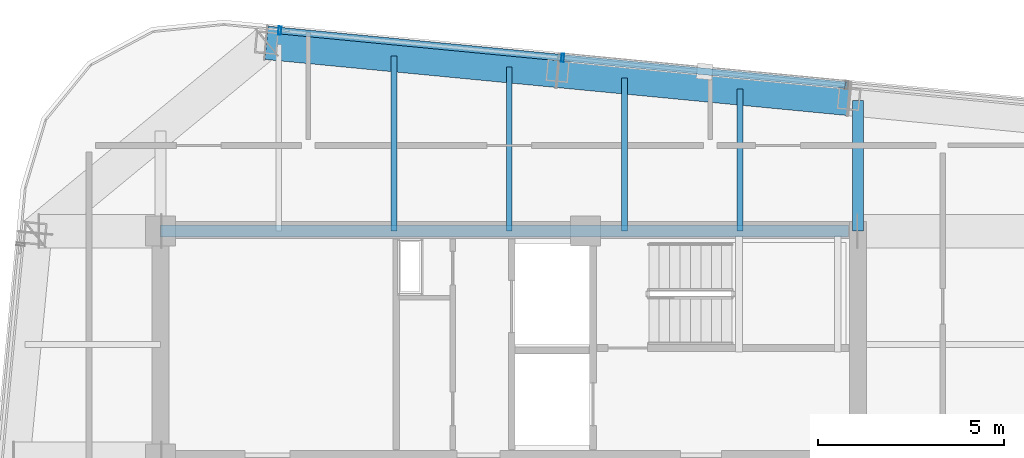
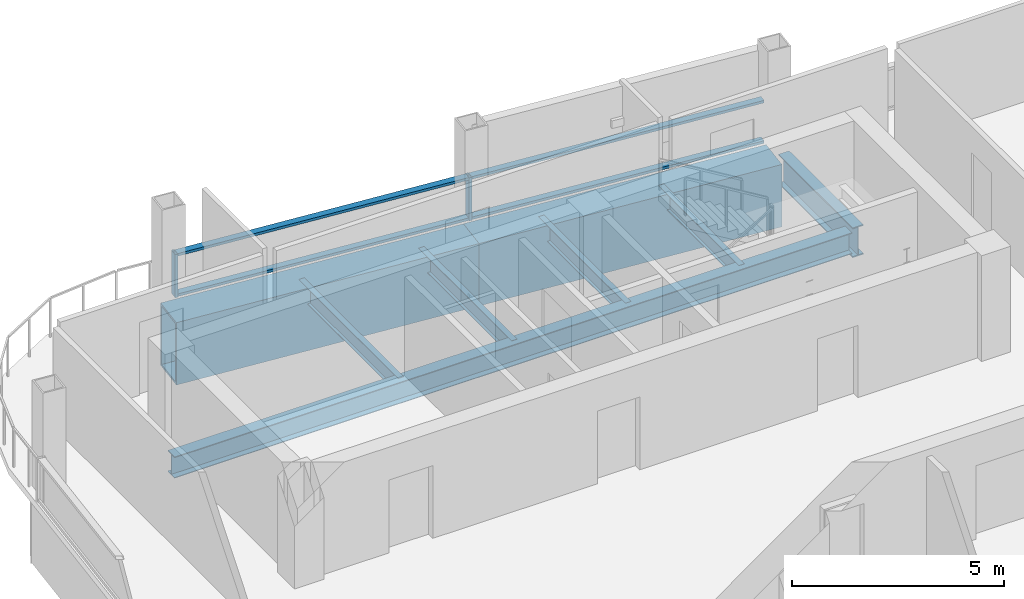
# One storey, part 13 of 21: 8 beams, 6 members, 1 element without a shape of its own.
"""IFC4 building model written with IfcOpenShell, lengths in metres."""

from ifc_helpers import new_model, si_unit, direction, frame, origin, origin_2d, place, context, subcontext, project, spatial, hollow_rectangle, i_section, extrude, material, layer, layer_set, material_profile, profile_set, type_object, element, aggregate, save


model = new_model("IFC4")

# Units and contexts
model_context = context("Model", 3, precision=1e-05, world=origin(), true_north=direction((0.0, 1.0)))
body_context = subcontext(model_context, "Body", "Model", "MODEL_VIEW")
ifc_project = project(units=[si_unit("LENGTHUNIT", "METRE"), si_unit("AREAUNIT", "SQUARE_METRE"), si_unit("VOLUMEUNIT", "CUBIC_METRE"), si_unit("PLANEANGLEUNIT", "RADIAN"), si_unit("MASSUNIT", "GRAM", prefix="KILO")], contexts=[model_context])

# Site, building, storey
site_placement = place(None, origin())
site = spatial("IfcSite", under=ifc_project, at=site_placement, CompositionType="ELEMENT")
building_placement = place(site_placement, origin())
building = spatial("IfcBuilding", under=site, at=building_placement, Name="Qhalaya Broadcast Tower", CompositionType="ELEMENT")
storey_placement = place(building_placement, frame((0.0, 0.0, 270.300048828125)))
storey = spatial("IfcBuildingStorey", under=building, at=storey_placement, Name="L80", CompositionType="ELEMENT", Elevation=270.300048828125)

# Beams
ifc_material_1 = material(Name="Structural Steel ASTM A572 Grade 50", Category="steel")
ifc_material_profile_1 = material_profile(ifc_material_1, hollow_rectangle(XDim=0.89990234375, YDim=1.800048828125, WallThickness=0.06005859375, at=origin_2d()), Name="BOX 900x1800x60")
ifc_profile_set_1 = profile_set([ifc_material_profile_1], Name="Structural Steel ASTM A572 Grade 50")
beam_type_1 = type_object("IfcBeamType", Name="Block Cantilever Transfer Box Girder TG1", PredefinedType="USERDEFINED", material=ifc_profile_set_1)
beam_1_placement = place(storey_placement, frame((9.132568359375, 13.50244140625, -1.090087890625), z_axis=(-0.995397308407, 0.095834223619, 0.0), x_axis=(-0.095834223619, -0.995397308407, 0.0)))
element("IfcBeam", 1, at=beam_1_placement, inside=storey, type_object=beam_type_1, Name="L80 TG1 L80-SPR-10", ObjectType="GIRDER", PredefinedType="USERDEFINED", context=body_context, shape_type="SweptSolid", body=[
    extrude(hollow_rectangle(XDim=0.89990234375, YDim=1.800048828125, WallThickness=0.06005859375, at=origin_2d()), origin(), (0.0, 0.0, 1.0), 7.86669921875),
])
beam_2_placement = place(storey_placement, frame((1.302001953125, 14.25634765625, -1.090087890625), z_axis=(-0.995394062251, 0.095867934346, 0.0), x_axis=(-0.095867934346, -0.995394062251, 0.0)))
element("IfcBeam", 2, at=beam_2_placement, inside=storey, type_object=beam_type_1, Name="L80 TG1 L80-SPR-11", ObjectType="GIRDER", PredefinedType="USERDEFINED", context=body_context, shape_type="SweptSolid", body=[
    extrude(hollow_rectangle(XDim=0.89990234375, YDim=1.800048828125, WallThickness=0.06005859375, at=origin_2d()), origin(), (0.0, 0.0, 1.0), 7.866455078125),
])
ifc_material_2 = material(Name="Structural Steel ASTM A992 Grade 50", Category="steel")
ifc_material_profile_2 = material_profile(ifc_material_2, i_section(OverallWidth=0.154052734375, OverallDepth=0.458984375, WebThickness=0.009033203125, FlangeThickness=0.015380859375, at=origin_2d()), Name="W18X46")
ifc_profile_set_2 = profile_set([ifc_material_profile_2], Name="Structural Steel ASTM A992 Grade 50")
beam_type_2 = type_object("IfcBeamType", Name="Composite Floor Joist J04", PredefinedType="JOIST", material=ifc_profile_set_2)
beam_3_placement = place(storey_placement, frame((-3.10009765625, 9.949951171875, -0.41943359375), z_axis=(0.0, 1.0, 0.0), x_axis=(-1.0, 0.0, 0.0)))
element("IfcBeam", 3, at=beam_3_placement, inside=storey, type_object=beam_type_2, Name="L80 J04 L80-JNN2-1", PredefinedType="JOIST", context=body_context, shape_type="SweptSolid", body=[
    extrude(i_section(OverallWidth=0.154052734375, OverallDepth=0.458984375, WebThickness=0.009033203125, FlangeThickness=0.015380859375, at=origin_2d()), origin(), (0.0, 0.0, 1.0), 4.710205078125),
])
beam_4_placement = place(storey_placement, frame((0.0, 9.949951171875, -0.41943359375), z_axis=(0.0, 1.0, 0.0), x_axis=(-1.0, 0.0, 0.0)))
element("IfcBeam", 4, at=beam_4_placement, inside=storey, type_object=beam_type_2, Name="L80 J04 L80-JNN3-1", PredefinedType="JOIST", context=body_context, shape_type="SweptSolid", body=[
    extrude(i_section(OverallWidth=0.154052734375, OverallDepth=0.458984375, WebThickness=0.009033203125, FlangeThickness=0.015380859375, at=origin_2d()), origin(), (0.0, 0.0, 1.0), 4.411865234375),
])
beam_5_placement = place(storey_placement, frame((3.10009765625, 9.949951171875, -0.41943359375), z_axis=(0.0, 1.0, 0.0), x_axis=(-1.0, 0.0, 0.0)))
element("IfcBeam", 5, at=beam_5_placement, inside=storey, type_object=beam_type_2, Name="L80 J04 L80-JNN4-1", PredefinedType="JOIST", context=body_context, shape_type="SweptSolid", body=[
    extrude(i_section(OverallWidth=0.154052734375, OverallDepth=0.458984375, WebThickness=0.009033203125, FlangeThickness=0.015380859375, at=origin_2d()), origin(), (0.0, 0.0, 1.0), 4.11328125),
])
beam_6_placement = place(storey_placement, frame((6.199951171875, 9.949951171875, -0.41943359375), z_axis=(0.0, 1.0, 0.0), x_axis=(-1.0, 0.0, 0.0)))
element("IfcBeam", 6, at=beam_6_placement, inside=storey, type_object=beam_type_2, Name="L80 J04 L80-JNN5-1", PredefinedType="JOIST", context=body_context, shape_type="SweptSolid", body=[
    extrude(i_section(OverallWidth=0.154052734375, OverallDepth=0.458984375, WebThickness=0.009033203125, FlangeThickness=0.015380859375, at=origin_2d()), origin(), (0.0, 0.0, 1.0), 3.814697265625),
])
ifc_material_profile_3 = material_profile(ifc_material_2, i_section(OverallWidth=0.323974609375, OverallDepth=0.612060546875, WebThickness=0.0126953125, FlangeThickness=0.01904296875, at=origin_2d()), Name="W24X104")
ifc_profile_set_3 = profile_set([ifc_material_profile_3], Name="Structural Steel ASTM A992 Grade 50")
beam_type_3 = type_object("IfcBeamType", Name="Core Frame Tie Beam B04", PredefinedType="BEAM", material=ifc_profile_set_3)
beam_7_placement = place(storey_placement, frame((-9.375, 9.949951171875, -0.49609375), z_axis=(1.0, 0.0, 0.0), x_axis=(0.0, 1.0, 0.0)))
element("IfcBeam", 7, at=beam_7_placement, inside=storey, type_object=beam_type_3, Name="L80 B04 L80-CCN3", PredefinedType="BEAM", context=body_context, shape_type="SweptSolid", body=[
    extrude(i_section(OverallWidth=0.323974609375, OverallDepth=0.612060546875, WebThickness=0.0126953125, FlangeThickness=0.01904296875, at=origin_2d()), origin(), (0.0, 0.0, 1.0), 18.4951171875),
])

# Curtain wall, members
ifc_material_3 = material(Name="Fired Architectural Terracotta", Category="masonry")
ifc_layer = layer(ifc_material_3, 0.219970703125, Name="Fired Architectural Terracotta")
ifc_layer_set = layer_set([ifc_layer], Name="Fired Architectural Terracotta")
curtain_wall_type = type_object("IfcCurtainWallType", Name="Block-Cap Unitised Terracotta Spandrel Wall CW-07", PredefinedType="NOTDEFINED", material=ifc_layer_set)
curtain_wall_placement = place(storey_placement, origin())
curtain_wall = element("IfcCurtainWall", 8, at=curtain_wall_placement, inside=storey, type_object=curtain_wall_type, Name="L80 Unitised Curtain Wall L80-CW-N", PredefinedType="NOTDEFINED")
ifc_material_4 = material(Name="Anodised Aluminium 6063-T6", Category="aluminium")
ifc_material_profile_4 = material_profile(ifc_material_4, hollow_rectangle(XDim=0.074951171875, YDim=0.219970703125, WallThickness=0.00390625, at=origin_2d()), Name="ALU-MUL 75x220x4")
ifc_profile_set_4 = profile_set([ifc_material_profile_4], Name="Anodised Aluminium 6063-T6")
member_type_1 = type_object("IfcMemberType", Name="Unitised Curtain-Wall Mullion M01", PredefinedType="MULLION", material=ifc_profile_set_4)
member_1_placement = place(storey_placement, frame((-6.169921875, 15.337646484375, 0.0), z_axis=(0.0, 0.0, 1.0), x_axis=(0.995396001153, -0.095847800651, 0.0)))
member_1 = element("IfcMember", 9, at=member_1_placement, type_object=member_type_1, Name="CW-07 mullion 1", PredefinedType="MULLION", context=body_context, shape_type="SweptSolid", body=[
    extrude(hollow_rectangle(XDim=0.074951171875, YDim=0.219970703125, WallThickness=0.00390625, at=origin_2d()), origin(), (0.0, 0.0, 1.0), 1.239990234375),
])
member_2_placement = place(storey_placement, frame((1.43212890625, 14.605712890625, 0.0), z_axis=(0.0, 0.0, 1.0), x_axis=(0.995396001153, -0.095847800651, 0.0)))
member_2 = element("IfcMember", 10, at=member_2_placement, type_object=member_type_1, Name="CW-07 mullion 2", PredefinedType="MULLION", context=body_context, shape_type="SweptSolid", body=[
    extrude(hollow_rectangle(XDim=0.074951171875, YDim=0.219970703125, WallThickness=0.00390625, at=origin_2d()), origin(), (0.0, 0.0, 1.0), 1.239990234375),
])
ifc_material_profile_5 = material_profile(ifc_material_4, hollow_rectangle(XDim=0.074951171875, YDim=0.179931640625, WallThickness=0.00390625, at=origin_2d()), Name="ALU-TRN 75x180x4")
ifc_profile_set_5 = profile_set([ifc_material_profile_5], Name="Anodised Aluminium 6063-T6")
member_type_2 = type_object("IfcMemberType", Name="Unitised Curtain-Wall Transom T01", PredefinedType="USERDEFINED", material=ifc_profile_set_5)
member_3_placement = place(storey_placement, frame((-6.132568359375, 15.333984375, 0.037353515625), z_axis=(0.995395532841, -0.095852664018, 0.0), x_axis=(0.0, 0.0, 1.0)))
member_3 = element("IfcMember", 11, at=member_3_placement, type_object=member_type_2, Name="CW-07 transom 1.1", ObjectType="TRANSOM", PredefinedType="USERDEFINED", context=body_context, shape_type="SweptSolid", body=[
    extrude(hollow_rectangle(XDim=0.074951171875, YDim=0.179931640625, WallThickness=0.00390625, at=origin_2d()), origin(), (0.0, 0.0, 1.0), 7.562255859375),
])
member_4_placement = place(storey_placement, frame((-6.132568359375, 15.333984375, 1.202392578125), z_axis=(0.995395532841, -0.095852664018, 0.0), x_axis=(0.0, 0.0, 1.0)))
member_4 = element("IfcMember", 12, at=member_4_placement, type_object=member_type_2, Name="CW-07 transom 1.2", ObjectType="TRANSOM", PredefinedType="USERDEFINED", context=body_context, shape_type="SweptSolid", body=[
    extrude(hollow_rectangle(XDim=0.074951171875, YDim=0.179931640625, WallThickness=0.00390625, at=origin_2d()), origin(), (0.0, 0.0, 1.0), 7.562255859375),
])
member_5_placement = place(storey_placement, frame((1.469482421875, 14.60205078125, 0.037353515625), z_axis=(0.995394715334, -0.095861153157, 0.0), x_axis=(0.0, 0.0, 1.0)))
member_5 = element("IfcMember", 13, at=member_5_placement, type_object=member_type_2, Name="CW-07 transom 2.1", ObjectType="TRANSOM", PredefinedType="USERDEFINED", context=body_context, shape_type="SweptSolid", body=[
    extrude(hollow_rectangle(XDim=0.074951171875, YDim=0.179931640625, WallThickness=0.00390625, at=origin_2d()), origin(), (0.0, 0.0, 1.0), 7.599609375),
])
member_6_placement = place(storey_placement, frame((1.469482421875, 14.60205078125, 1.202392578125), z_axis=(0.995394715334, -0.095861153157, 0.0), x_axis=(0.0, 0.0, 1.0)))
member_6 = element("IfcMember", 14, at=member_6_placement, type_object=member_type_2, Name="CW-07 transom 2.2", ObjectType="TRANSOM", PredefinedType="USERDEFINED", context=body_context, shape_type="SweptSolid", body=[
    extrude(hollow_rectangle(XDim=0.074951171875, YDim=0.179931640625, WallThickness=0.00390625, at=origin_2d()), origin(), (0.0, 0.0, 1.0), 7.599609375),
])
aggregate(curtain_wall, [member_1, member_2, member_3, member_4, member_5, member_6])

# Beam
ifc_material_profile_6 = material_profile(ifc_material_2, i_section(OverallWidth=0.2919921875, OverallDepth=0.85888671875, WebThickness=0.01708984375, FlangeThickness=0.031005859375, at=origin_2d()), Name="W33X169")
ifc_profile_set_6 = profile_set([ifc_material_profile_6], Name="Structural Steel ASTM A992 Grade 50")
beam_type_4 = type_object("IfcBeamType", Name="Upper Block Primary Girder PG4", PredefinedType="USERDEFINED", material=ifc_profile_set_6)
beam_8_placement = place(storey_placement, frame((9.375, 9.949951171875, -0.61962890625), z_axis=(0.0, 1.0, 0.0), x_axis=(-1.0, 0.0, 0.0)))
element("IfcBeam", 15, at=beam_8_placement, inside=storey, type_object=beam_type_4, Name="L80 PG4 L80-PGXN2-1", ObjectType="GIRDER", PredefinedType="USERDEFINED", context=body_context, shape_type="SweptSolid", body=[
    extrude(i_section(OverallWidth=0.2919921875, OverallDepth=0.85888671875, WebThickness=0.01708984375, FlangeThickness=0.031005859375, at=origin_2d()), origin(), (0.0, 0.0, 1.0), 3.509033203125),
])

save(model, "model.ifc")
